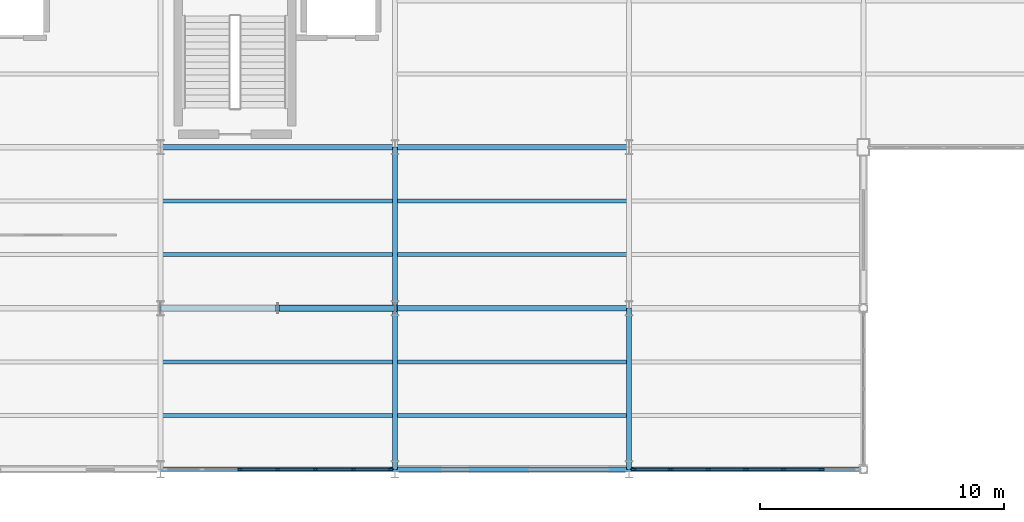
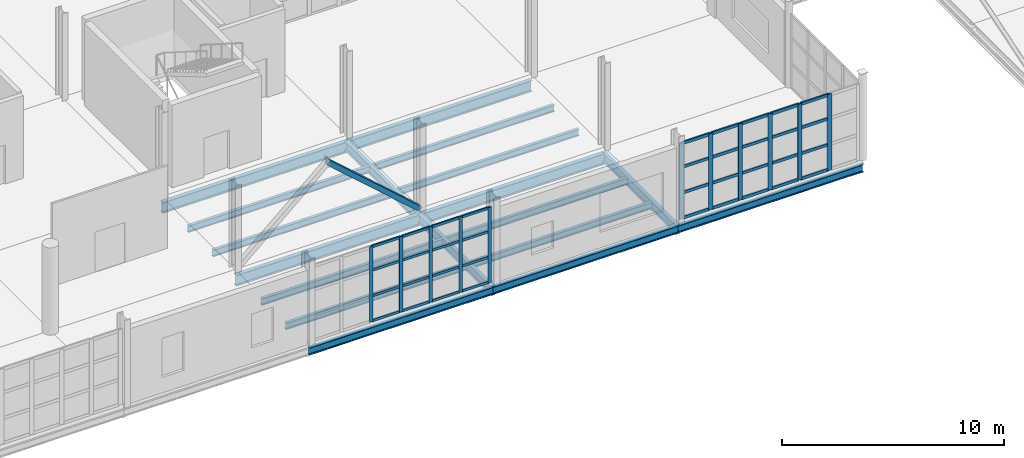
# One storey, part 18 of 120: 48 members, 18 beams, 2 elements without a shape of their own.
"""IFC4 building model written with IfcOpenShell, lengths in metres."""

from ifc_helpers import new_model, si_unit, direction, frame, origin, origin_2d, place, context, subcontext, project, spatial, rectangle, hollow_rectangle, i_section, extrude, material, layer, layer_set, material_profile, profile_set, type_object, element, aggregate, save


model = new_model("IFC4")

# Units and contexts
model_context = context("Model", 3, precision=1e-05, world=origin(), true_north=direction((0.0, 1.0)))
body_context = subcontext(model_context, "Body", "Model", "MODEL_VIEW")
ifc_project = project(units=[si_unit("LENGTHUNIT", "METRE"), si_unit("AREAUNIT", "SQUARE_METRE"), si_unit("VOLUMEUNIT", "CUBIC_METRE"), si_unit("PLANEANGLEUNIT", "RADIAN"), si_unit("MASSUNIT", "GRAM", prefix="KILO")], contexts=[model_context])

# Site, building, storey
site_placement = place(None, origin())
site = spatial("IfcSite", under=ifc_project, at=site_placement, CompositionType="ELEMENT")
building_placement = place(site_placement, origin())
building = spatial("IfcBuilding", under=site, at=building_placement, Name="Zarnetskaya Central Station", CompositionType="ELEMENT")
storey_placement = place(building_placement, frame((0.0, 0.0, 5.39990234375)))
storey = spatial("IfcBuildingStorey", under=building, at=storey_placement, Name="L01", CompositionType="ELEMENT", Elevation=5.39990234375)

# Beams
ifc_material_1 = material(Name="Steel S355", Category="steel")
ifc_material_profile_1 = material_profile(ifc_material_1, i_section(OverallWidth=0.169921875, OverallDepth=0.360107421875, WebThickness=0.008056640625, FlangeThickness=0.0126953125, FilletRadius=0.01806640625, at=origin_2d()), Name="IPE 360")
ifc_profile_set_1 = profile_set([ifc_material_profile_1], Name="Steel S355")
beam_type_1 = type_object("IfcBeamType", Name="BM-SEC-360", PredefinedType="BEAM", material=ifc_profile_set_1)
for number, where, z_axis, x_axis, name in (
    (1, (28.8798828125, 2.199951171875, -0.4599609375), (1.0, 0.0, 0.0), (0.0, 1.0, 0.0), "Secondary floor beam SEC-L01-Z512-DE-12-1"),
    (2, (28.8798828125, 4.39990234375, -0.4599609375), (1.0, 0.0, 0.0), (0.0, 1.0, 0.0), "Secondary floor beam SEC-L01-Z512-DE-12-2"),
    (3, (28.8798828125, 8.800048828125, -0.4599609375), (1.0, 0.0, 0.0), (0.0, 1.0, 0.0), "Secondary floor beam SEC-L01-Z512-DE-23-1"),
    (4, (28.8798828125, 11.0, -0.4599609375), (1.0, 0.0, 0.0), (0.0, 1.0, 0.0), "Secondary floor beam SEC-L01-Z512-DE-23-2"),
):
    element("IfcBeam", number, at=place(storey_placement, frame(where, z_axis=z_axis, x_axis=x_axis)), inside=storey, type_object=beam_type_1, Name=name, PredefinedType="BEAM", context=body_context, shape_type="SweptSolid", body=[
        extrude(i_section(OverallWidth=0.169921875, OverallDepth=0.360107421875, WebThickness=0.008056640625, FlangeThickness=0.0126953125, FilletRadius=0.01806640625, at=origin_2d()), origin(), (0.0, 0.0, 1.0), 9.440185546875),
    ])
for number, where, z_axis, x_axis, name in (
    (5, (38.47998046875, 2.199951171875, -0.4599609375), (1.0, 0.0, 0.0), (0.0, 1.0, 0.0), "Secondary floor beam SEC-L01-Z512-EF-12-1"),
    (6, (38.47998046875, 4.39990234375, -0.4599609375), (1.0, 0.0, 0.0), (0.0, 1.0, 0.0), "Secondary floor beam SEC-L01-Z512-EF-12-2"),
    (7, (38.47998046875, 8.800048828125, -0.4599609375), (1.0, 0.0, 0.0), (0.0, 1.0, 0.0), "Secondary floor beam SEC-L01-Z512-EF-23-1"),
    (8, (38.47998046875, 11.0, -0.4599609375), (1.0, 0.0, 0.0), (0.0, 1.0, 0.0), "Secondary floor beam SEC-L01-Z512-EF-23-2"),
):
    element("IfcBeam", number, at=place(storey_placement, frame(where, z_axis=z_axis, x_axis=x_axis)), inside=storey, type_object=beam_type_1, Name=name, PredefinedType="BEAM", context=body_context, shape_type="SweptSolid", body=[
        extrude(i_section(OverallWidth=0.169921875, OverallDepth=0.360107421875, WebThickness=0.008056640625, FlangeThickness=0.0126953125, FilletRadius=0.01806640625, at=origin_2d()), origin(), (0.0, 0.0, 1.0), 9.43994140625),
    ])
ifc_material_profile_2 = material_profile(ifc_material_1, i_section(OverallWidth=0.179931640625, OverallDepth=0.39990234375, WebThickness=0.008544921875, FlangeThickness=0.013427734375, FilletRadius=0.02099609375, at=origin_2d()), Name="IPE 400")
ifc_profile_set_2 = profile_set([ifc_material_profile_2], Name="Steel S355")
beam_type_2 = type_object("IfcBeamType", Name="BM-SPN-V5", PredefinedType="SPANDREL", material=ifc_profile_set_2)
beam_1_placement = place(storey_placement, frame((28.800048828125, 0.0, -0.47998046875), z_axis=(1.0, 0.0, 0.0), x_axis=(0.0, 1.0, 0.0)))
element("IfcBeam", 9, at=beam_1_placement, inside=storey, type_object=beam_type_2, Name="Grid girder GX-L01-1-DE", PredefinedType="SPANDREL", context=body_context, shape_type="SweptSolid", body=[
    extrude(i_section(OverallWidth=0.179931640625, OverallDepth=0.39990234375, WebThickness=0.008544921875, FlangeThickness=0.013427734375, FilletRadius=0.02099609375, at=origin_2d()), origin(), (0.0, 0.0, 1.0), 9.599853515625),
])
for number, where, z_axis, x_axis, name in (
    (10, (38.39990234375, 0.0, -0.47998046875), (1.0, 0.0, 0.0), (0.0, 1.0, 0.0), "Grid girder GX-L01-1-EF"),
    (11, (48.0, 0.0, -0.47998046875), (1.0, 0.0, 0.0), (0.0, 1.0, 0.0), "Grid girder GX-L01-1-FG"),
):
    element("IfcBeam", number, at=place(storey_placement, frame(where, z_axis=z_axis, x_axis=x_axis)), inside=storey, type_object=beam_type_2, Name=name, PredefinedType="SPANDREL", context=body_context, shape_type="SweptSolid", body=[
        extrude(i_section(OverallWidth=0.179931640625, OverallDepth=0.39990234375, WebThickness=0.008544921875, FlangeThickness=0.013427734375, FilletRadius=0.02099609375, at=origin_2d()), origin(), (0.0, 0.0, 1.0), 9.60009765625),
    ])

# Curtain wall, members
ifc_material_2 = material(Name="Low-E insulated glass", Category="glass")
ifc_layer_1 = layer(ifc_material_2, 0.176025390625, Name="Low-E insulated glass", Category="glass")
ifc_layer_set_1 = layer_set([ifc_layer_1], Name="Low-E insulated glass")
curtain_wall_type_1 = type_object("IfcCurtainWallType", Name="CW-SYS-05", PredefinedType="USERDEFINED", material=ifc_layer_set_1)
curtain_wall_1_placement = place(storey_placement, origin())
curtain_wall_1 = element("IfcCurtainWall", 12, at=curtain_wall_1_placement, inside=storey, type_object=curtain_wall_type_1, Name="Curtain wall CW-L01-013", ObjectType="CURTAIN WALL", PredefinedType="USERDEFINED")
ifc_material_3 = material(Name="Anodised aluminium", Category="aluminium")
ifc_material_profile_3 = material_profile(ifc_material_3, rectangle(XDim=0.070068359375, YDim=0.179931640625, at=origin_2d()), Name="ALU MULL 70x180")
ifc_profile_set_3 = profile_set([ifc_material_profile_3], Name="Anodised aluminium")
member_type_1 = type_object("IfcMemberType", Name="CW-MULL-180", PredefinedType="MULLION", material=ifc_profile_set_3)
member_1_placement = place(storey_placement, frame((38.215087890625, 0.0, 0.0), z_axis=(0.0, 0.0, 1.0), x_axis=(0.0, -1.0, 0.0)))
member_1 = element("IfcMember", 13, at=member_1_placement, type_object=member_type_1, Name="CW-14 mullion 1", PredefinedType="MULLION", context=body_context, shape_type="SweptSolid", body=[
    extrude(rectangle(XDim=0.070068359375, YDim=0.179931640625, at=origin_2d()), origin(), (0.0, 0.0, 1.0), 4.14013671875),
])
member_2_placement = place(storey_placement, frame((36.699951171875, 0.0, 0.0), z_axis=(0.0, 0.0, 1.0), x_axis=(0.0, -1.0, 0.0)))
member_2 = element("IfcMember", 14, at=member_2_placement, type_object=member_type_1, Name="CW-14 mullion 2", PredefinedType="MULLION", context=body_context, shape_type="SweptSolid", body=[
    extrude(rectangle(XDim=0.070068359375, YDim=0.179931640625, at=origin_2d()), origin(), (0.0, 0.0, 1.0), 4.14013671875),
])
member_3_placement = place(storey_placement, frame((35.14990234375, 0.0, 0.0), z_axis=(0.0, 0.0, 1.0), x_axis=(0.0, -1.0, 0.0)))
member_3 = element("IfcMember", 15, at=member_3_placement, type_object=member_type_1, Name="CW-14 mullion 3", PredefinedType="MULLION", context=body_context, shape_type="SweptSolid", body=[
    extrude(rectangle(XDim=0.070068359375, YDim=0.179931640625, at=origin_2d()), origin(), (0.0, 0.0, 1.0), 4.14013671875),
])
member_4_placement = place(storey_placement, frame((33.60009765625, 0.0, 0.0), z_axis=(0.0, 0.0, 1.0), x_axis=(0.0, -1.0, 0.0)))
member_4 = element("IfcMember", 16, at=member_4_placement, type_object=member_type_1, Name="CW-14 mullion 4", PredefinedType="MULLION", context=body_context, shape_type="SweptSolid", body=[
    extrude(rectangle(XDim=0.070068359375, YDim=0.179931640625, at=origin_2d()), origin(), (0.0, 0.0, 1.0), 4.14013671875),
])
member_5_placement = place(storey_placement, frame((32.050048828125, 0.0, 0.0), z_axis=(0.0, 0.0, 1.0), x_axis=(0.0, -1.0, 0.0)))
member_5 = element("IfcMember", 17, at=member_5_placement, type_object=member_type_1, Name="CW-14 mullion 5", PredefinedType="MULLION", context=body_context, shape_type="SweptSolid", body=[
    extrude(rectangle(XDim=0.070068359375, YDim=0.179931640625, at=origin_2d()), origin(), (0.0, 0.0, 1.0), 4.14013671875),
])

ifc_layer_2 = layer(ifc_material_2, 0.16796875, Name="Low-E insulated glass", Category="glass")
ifc_layer_set_2 = layer_set([ifc_layer_2], Name="Low-E insulated glass")
curtain_wall_type_2 = type_object("IfcCurtainWallType", Name="CW-SYS-03", PredefinedType="USERDEFINED", material=ifc_layer_set_2)
curtain_wall_2_placement = place(storey_placement, origin())
curtain_wall_2 = element("IfcCurtainWall", 18, at=curtain_wall_2_placement, inside=storey, type_object=curtain_wall_type_2, Name="Curtain wall CW-L01-012", ObjectType="CURTAIN WALL", PredefinedType="USERDEFINED")
ifc_material_profile_4 = material_profile(ifc_material_3, rectangle(XDim=0.080078125, YDim=0.219970703125, at=origin_2d()), Name="ALU MULL 80x220")
ifc_profile_set_4 = profile_set([ifc_material_profile_4], Name="Anodised aluminium")
member_type_2 = type_object("IfcMemberType", Name="CW-MULL-220", PredefinedType="MULLION", material=ifc_profile_set_4)
member_6_placement = place(storey_placement, frame((55.876953125, 0.0, 0.0), z_axis=(0.0, 0.0, 1.0), x_axis=(0.0, -1.0, 0.0)))
member_6 = element("IfcMember", 19, at=member_6_placement, type_object=member_type_2, Name="CW-12 mullion 2", PredefinedType="MULLION", context=body_context, shape_type="SweptSolid", body=[
    extrude(rectangle(XDim=0.080078125, YDim=0.219970703125, at=origin_2d()), origin(), (0.0, 0.0, 1.0), 4.18017578125),
])
member_7_placement = place(storey_placement, frame((54.33154296875, 0.0, 0.0), z_axis=(0.0, 0.0, 1.0), x_axis=(0.0, -1.0, 0.0)))
member_7 = element("IfcMember", 20, at=member_7_placement, type_object=member_type_2, Name="CW-12 mullion 3", PredefinedType="MULLION", context=body_context, shape_type="SweptSolid", body=[
    extrude(rectangle(XDim=0.080078125, YDim=0.219970703125, at=origin_2d()), origin(), (0.0, 0.0, 1.0), 4.18017578125),
])
member_8_placement = place(storey_placement, frame((52.7861328125, 0.0, 0.0), z_axis=(0.0, 0.0, 1.0), x_axis=(0.0, -1.0, 0.0)))
member_8 = element("IfcMember", 21, at=member_8_placement, type_object=member_type_2, Name="CW-12 mullion 4", PredefinedType="MULLION", context=body_context, shape_type="SweptSolid", body=[
    extrude(rectangle(XDim=0.080078125, YDim=0.219970703125, at=origin_2d()), origin(), (0.0, 0.0, 1.0), 4.18017578125),
])
member_9_placement = place(storey_placement, frame((51.24072265625, 0.0, 0.0), z_axis=(0.0, 0.0, 1.0), x_axis=(0.0, -1.0, 0.0)))
member_9 = element("IfcMember", 22, at=member_9_placement, type_object=member_type_2, Name="CW-12 mullion 5", PredefinedType="MULLION", context=body_context, shape_type="SweptSolid", body=[
    extrude(rectangle(XDim=0.080078125, YDim=0.219970703125, at=origin_2d()), origin(), (0.0, 0.0, 1.0), 4.18017578125),
])
member_10_placement = place(storey_placement, frame((49.6953125, 0.0, 0.0), z_axis=(0.0, 0.0, 1.0), x_axis=(0.0, -1.0, 0.0)))
member_10 = element("IfcMember", 23, at=member_10_placement, type_object=member_type_2, Name="CW-12 mullion 6", PredefinedType="MULLION", context=body_context, shape_type="SweptSolid", body=[
    extrude(rectangle(XDim=0.080078125, YDim=0.219970703125, at=origin_2d()), origin(), (0.0, 0.0, 1.0), 4.18017578125),
])
member_11_placement = place(storey_placement, frame((48.18994140625, 0.0, 0.0), z_axis=(0.0, 0.0, 1.0), x_axis=(0.0, -1.0, 0.0)))
member_11 = element("IfcMember", 24, at=member_11_placement, type_object=member_type_2, Name="CW-12 mullion 7", PredefinedType="MULLION", context=body_context, shape_type="SweptSolid", body=[
    extrude(rectangle(XDim=0.080078125, YDim=0.219970703125, at=origin_2d()), origin(), (0.0, 0.0, 1.0), 4.18017578125),
])

# Member
ifc_material_profile_5 = material_profile(ifc_material_3, rectangle(XDim=0.070068359375, YDim=0.139892578125, at=origin_2d()), Name="ALU TRAN 70x140")
ifc_profile_set_5 = profile_set([ifc_material_profile_5], Name="Anodised aluminium")
member_type_3 = type_object("IfcMemberType", Name="CW-TRAN-140", PredefinedType="USERDEFINED", material=ifc_profile_set_5)
member_12_placement = place(storey_placement, frame((38.179931640625, 0.0, 0.03515625), z_axis=(-1.0, 0.0, 0.0), x_axis=(0.0, -1.0, 0.0)))
member_12 = element("IfcMember", 25, at=member_12_placement, type_object=member_type_3, Name="CW-14 transom 1.1", ObjectType="TRANSOM", PredefinedType="USERDEFINED", context=body_context, shape_type="SweptSolid", body=[
    extrude(rectangle(XDim=0.070068359375, YDim=0.139892578125, at=origin_2d()), origin(), (0.0, 0.0, 1.0), 1.44482421875),
])

member_13_placement = place(storey_placement, frame((38.179931640625, 0.0, 1.408203125), z_axis=(-1.0, 0.0, 0.0), x_axis=(0.0, -1.0, 0.0)))
member_13 = element("IfcMember", 26, at=member_13_placement, type_object=member_type_3, Name="CW-14 transom 1.2", ObjectType="TRANSOM", PredefinedType="USERDEFINED", context=body_context, shape_type="SweptSolid", body=[
    extrude(rectangle(XDim=0.070068359375, YDim=0.139892578125, at=origin_2d()), origin(), (0.0, 0.0, 1.0), 1.44482421875),
])

member_14_placement = place(storey_placement, frame((38.179931640625, 0.0, 2.815185546875), z_axis=(-1.0, 0.0, 0.0), x_axis=(0.0, -1.0, 0.0)))
member_14 = element("IfcMember", 27, at=member_14_placement, type_object=member_type_3, Name="CW-14 transom 1.3", ObjectType="TRANSOM", PredefinedType="USERDEFINED", context=body_context, shape_type="SweptSolid", body=[
    extrude(rectangle(XDim=0.070068359375, YDim=0.139892578125, at=origin_2d()), origin(), (0.0, 0.0, 1.0), 1.44482421875),
])

member_15_placement = place(storey_placement, frame((38.179931640625, 0.0, 4.10498046875), z_axis=(-1.0, 0.0, 0.0), x_axis=(0.0, -1.0, 0.0)))
member_15 = element("IfcMember", 28, at=member_15_placement, type_object=member_type_3, Name="CW-14 transom 1.4", ObjectType="TRANSOM", PredefinedType="USERDEFINED", context=body_context, shape_type="SweptSolid", body=[
    extrude(rectangle(XDim=0.070068359375, YDim=0.139892578125, at=origin_2d()), origin(), (0.0, 0.0, 1.0), 1.44482421875),
])

member_16_placement = place(storey_placement, frame((36.6650390625, 0.0, 0.03515625), z_axis=(-1.0, 0.0, 0.0), x_axis=(0.0, -1.0, 0.0)))
member_16 = element("IfcMember", 29, at=member_16_placement, type_object=member_type_3, Name="CW-14 transom 2.1", ObjectType="TRANSOM", PredefinedType="USERDEFINED", context=body_context, shape_type="SweptSolid", body=[
    extrude(rectangle(XDim=0.070068359375, YDim=0.139892578125, at=origin_2d()), origin(), (0.0, 0.0, 1.0), 1.47998046875),
])

member_17_placement = place(storey_placement, frame((36.6650390625, 0.0, 1.408203125), z_axis=(-1.0, 0.0, 0.0), x_axis=(0.0, -1.0, 0.0)))
member_17 = element("IfcMember", 30, at=member_17_placement, type_object=member_type_3, Name="CW-14 transom 2.2", ObjectType="TRANSOM", PredefinedType="USERDEFINED", context=body_context, shape_type="SweptSolid", body=[
    extrude(rectangle(XDim=0.070068359375, YDim=0.139892578125, at=origin_2d()), origin(), (0.0, 0.0, 1.0), 1.47998046875),
])

member_18_placement = place(storey_placement, frame((36.6650390625, 0.0, 2.815185546875), z_axis=(-1.0, 0.0, 0.0), x_axis=(0.0, -1.0, 0.0)))
member_18 = element("IfcMember", 31, at=member_18_placement, type_object=member_type_3, Name="CW-14 transom 2.3", ObjectType="TRANSOM", PredefinedType="USERDEFINED", context=body_context, shape_type="SweptSolid", body=[
    extrude(rectangle(XDim=0.070068359375, YDim=0.139892578125, at=origin_2d()), origin(), (0.0, 0.0, 1.0), 1.47998046875),
])

member_19_placement = place(storey_placement, frame((36.6650390625, 0.0, 4.10498046875), z_axis=(-1.0, 0.0, 0.0), x_axis=(0.0, -1.0, 0.0)))
member_19 = element("IfcMember", 32, at=member_19_placement, type_object=member_type_3, Name="CW-14 transom 2.4", ObjectType="TRANSOM", PredefinedType="USERDEFINED", context=body_context, shape_type="SweptSolid", body=[
    extrude(rectangle(XDim=0.070068359375, YDim=0.139892578125, at=origin_2d()), origin(), (0.0, 0.0, 1.0), 1.47998046875),
])

member_20_placement = place(storey_placement, frame((35.114990234375, 0.0, 0.03515625), z_axis=(-1.0, 0.0, 0.0), x_axis=(0.0, -1.0, 0.0)))
member_20 = element("IfcMember", 33, at=member_20_placement, type_object=member_type_3, Name="CW-14 transom 3.1", ObjectType="TRANSOM", PredefinedType="USERDEFINED", context=body_context, shape_type="SweptSolid", body=[
    extrude(rectangle(XDim=0.070068359375, YDim=0.139892578125, at=origin_2d()), origin(), (0.0, 0.0, 1.0), 1.47998046875),
])

member_21_placement = place(storey_placement, frame((35.114990234375, 0.0, 1.408203125), z_axis=(-1.0, 0.0, 0.0), x_axis=(0.0, -1.0, 0.0)))
member_21 = element("IfcMember", 34, at=member_21_placement, type_object=member_type_3, Name="CW-14 transom 3.2", ObjectType="TRANSOM", PredefinedType="USERDEFINED", context=body_context, shape_type="SweptSolid", body=[
    extrude(rectangle(XDim=0.070068359375, YDim=0.139892578125, at=origin_2d()), origin(), (0.0, 0.0, 1.0), 1.47998046875),
])

member_22_placement = place(storey_placement, frame((35.114990234375, 0.0, 2.815185546875), z_axis=(-1.0, 0.0, 0.0), x_axis=(0.0, -1.0, 0.0)))
member_22 = element("IfcMember", 35, at=member_22_placement, type_object=member_type_3, Name="CW-14 transom 3.3", ObjectType="TRANSOM", PredefinedType="USERDEFINED", context=body_context, shape_type="SweptSolid", body=[
    extrude(rectangle(XDim=0.070068359375, YDim=0.139892578125, at=origin_2d()), origin(), (0.0, 0.0, 1.0), 1.47998046875),
])

member_23_placement = place(storey_placement, frame((35.114990234375, 0.0, 4.10498046875), z_axis=(-1.0, 0.0, 0.0), x_axis=(0.0, -1.0, 0.0)))
member_23 = element("IfcMember", 36, at=member_23_placement, type_object=member_type_3, Name="CW-14 transom 3.4", ObjectType="TRANSOM", PredefinedType="USERDEFINED", context=body_context, shape_type="SweptSolid", body=[
    extrude(rectangle(XDim=0.070068359375, YDim=0.139892578125, at=origin_2d()), origin(), (0.0, 0.0, 1.0), 1.47998046875),
])

member_24_placement = place(storey_placement, frame((33.56494140625, 0.0, 0.03515625), z_axis=(-1.0, 0.0, 0.0), x_axis=(0.0, -1.0, 0.0)))
member_24 = element("IfcMember", 37, at=member_24_placement, type_object=member_type_3, Name="CW-14 transom 4.1", ObjectType="TRANSOM", PredefinedType="USERDEFINED", context=body_context, shape_type="SweptSolid", body=[
    extrude(rectangle(XDim=0.070068359375, YDim=0.139892578125, at=origin_2d()), origin(), (0.0, 0.0, 1.0), 1.47998046875),
])

member_25_placement = place(storey_placement, frame((33.56494140625, 0.0, 1.408203125), z_axis=(-1.0, 0.0, 0.0), x_axis=(0.0, -1.0, 0.0)))
member_25 = element("IfcMember", 38, at=member_25_placement, type_object=member_type_3, Name="CW-14 transom 4.2", ObjectType="TRANSOM", PredefinedType="USERDEFINED", context=body_context, shape_type="SweptSolid", body=[
    extrude(rectangle(XDim=0.070068359375, YDim=0.139892578125, at=origin_2d()), origin(), (0.0, 0.0, 1.0), 1.47998046875),
])

member_26_placement = place(storey_placement, frame((33.56494140625, 0.0, 2.815185546875), z_axis=(-1.0, 0.0, 0.0), x_axis=(0.0, -1.0, 0.0)))
member_26 = element("IfcMember", 39, at=member_26_placement, type_object=member_type_3, Name="CW-14 transom 4.3", ObjectType="TRANSOM", PredefinedType="USERDEFINED", context=body_context, shape_type="SweptSolid", body=[
    extrude(rectangle(XDim=0.070068359375, YDim=0.139892578125, at=origin_2d()), origin(), (0.0, 0.0, 1.0), 1.47998046875),
])

member_27_placement = place(storey_placement, frame((33.56494140625, 0.0, 4.10498046875), z_axis=(-1.0, 0.0, 0.0), x_axis=(0.0, -1.0, 0.0)))
member_27 = element("IfcMember", 40, at=member_27_placement, type_object=member_type_3, Name="CW-14 transom 4.4", ObjectType="TRANSOM", PredefinedType="USERDEFINED", context=body_context, shape_type="SweptSolid", body=[
    extrude(rectangle(XDim=0.070068359375, YDim=0.139892578125, at=origin_2d()), origin(), (0.0, 0.0, 1.0), 1.47998046875),
])

aggregate(curtain_wall_1, [member_1, member_2, member_3, member_4, member_5, member_12, member_13, member_14, member_15, member_16, member_17, member_18, member_19, member_20, member_21, member_22, member_23, member_24, member_25, member_26, member_27])

ifc_material_profile_6 = material_profile(ifc_material_3, rectangle(XDim=0.080078125, YDim=0.159912109375, at=origin_2d()), Name="ALU TRAN 80x160")
ifc_profile_set_6 = profile_set([ifc_material_profile_6], Name="Anodised aluminium")
member_type_4 = type_object("IfcMemberType", Name="CW-TRAN-160", PredefinedType="USERDEFINED", material=ifc_profile_set_6)
member_28_placement = place(storey_placement, frame((55.8369140625, 0.0, 0.0400390625), z_axis=(-1.0, 0.0, 0.0), x_axis=(0.0, -1.0, 0.0)))
member_28 = element("IfcMember", 41, at=member_28_placement, type_object=member_type_4, Name="CW-12 transom 2.1", ObjectType="TRANSOM", PredefinedType="USERDEFINED", context=body_context, shape_type="SweptSolid", body=[
    extrude(rectangle(XDim=0.080078125, YDim=0.159912109375, at=origin_2d()), origin(), (0.0, 0.0, 1.0), 1.46533203125),
])

member_29_placement = place(storey_placement, frame((55.8369140625, 0.0, 1.421142578125), z_axis=(-1.0, 0.0, 0.0), x_axis=(0.0, -1.0, 0.0)))
member_29 = element("IfcMember", 42, at=member_29_placement, type_object=member_type_4, Name="CW-12 transom 2.2", ObjectType="TRANSOM", PredefinedType="USERDEFINED", context=body_context, shape_type="SweptSolid", body=[
    extrude(rectangle(XDim=0.080078125, YDim=0.159912109375, at=origin_2d()), origin(), (0.0, 0.0, 1.0), 1.46533203125),
])

member_30_placement = place(storey_placement, frame((55.8369140625, 0.0, 2.842041015625), z_axis=(-1.0, 0.0, 0.0), x_axis=(0.0, -1.0, 0.0)))
member_30 = element("IfcMember", 43, at=member_30_placement, type_object=member_type_4, Name="CW-12 transom 2.3", ObjectType="TRANSOM", PredefinedType="USERDEFINED", context=body_context, shape_type="SweptSolid", body=[
    extrude(rectangle(XDim=0.080078125, YDim=0.159912109375, at=origin_2d()), origin(), (0.0, 0.0, 1.0), 1.46533203125),
])

member_31_placement = place(storey_placement, frame((55.8369140625, 0.0, 4.14013671875), z_axis=(-1.0, 0.0, 0.0), x_axis=(0.0, -1.0, 0.0)))
member_31 = element("IfcMember", 44, at=member_31_placement, type_object=member_type_4, Name="CW-12 transom 2.4", ObjectType="TRANSOM", PredefinedType="USERDEFINED", context=body_context, shape_type="SweptSolid", body=[
    extrude(rectangle(XDim=0.080078125, YDim=0.159912109375, at=origin_2d()), origin(), (0.0, 0.0, 1.0), 1.46533203125),
])

member_32_placement = place(storey_placement, frame((54.29150390625, 0.0, 0.0400390625), z_axis=(-1.0, 0.0, 0.0), x_axis=(0.0, -1.0, 0.0)))
member_32 = element("IfcMember", 45, at=member_32_placement, type_object=member_type_4, Name="CW-12 transom 3.1", ObjectType="TRANSOM", PredefinedType="USERDEFINED", context=body_context, shape_type="SweptSolid", body=[
    extrude(rectangle(XDim=0.080078125, YDim=0.159912109375, at=origin_2d()), origin(), (0.0, 0.0, 1.0), 1.46533203125),
])

member_33_placement = place(storey_placement, frame((54.29150390625, 0.0, 1.421142578125), z_axis=(-1.0, 0.0, 0.0), x_axis=(0.0, -1.0, 0.0)))
member_33 = element("IfcMember", 46, at=member_33_placement, type_object=member_type_4, Name="CW-12 transom 3.2", ObjectType="TRANSOM", PredefinedType="USERDEFINED", context=body_context, shape_type="SweptSolid", body=[
    extrude(rectangle(XDim=0.080078125, YDim=0.159912109375, at=origin_2d()), origin(), (0.0, 0.0, 1.0), 1.46533203125),
])

member_34_placement = place(storey_placement, frame((54.29150390625, 0.0, 2.842041015625), z_axis=(-1.0, 0.0, 0.0), x_axis=(0.0, -1.0, 0.0)))
member_34 = element("IfcMember", 47, at=member_34_placement, type_object=member_type_4, Name="CW-12 transom 3.3", ObjectType="TRANSOM", PredefinedType="USERDEFINED", context=body_context, shape_type="SweptSolid", body=[
    extrude(rectangle(XDim=0.080078125, YDim=0.159912109375, at=origin_2d()), origin(), (0.0, 0.0, 1.0), 1.46533203125),
])

member_35_placement = place(storey_placement, frame((54.29150390625, 0.0, 4.14013671875), z_axis=(-1.0, 0.0, 0.0), x_axis=(0.0, -1.0, 0.0)))
member_35 = element("IfcMember", 48, at=member_35_placement, type_object=member_type_4, Name="CW-12 transom 3.4", ObjectType="TRANSOM", PredefinedType="USERDEFINED", context=body_context, shape_type="SweptSolid", body=[
    extrude(rectangle(XDim=0.080078125, YDim=0.159912109375, at=origin_2d()), origin(), (0.0, 0.0, 1.0), 1.46533203125),
])

member_36_placement = place(storey_placement, frame((52.74609375, 0.0, 0.0400390625), z_axis=(-1.0, 0.0, 0.0), x_axis=(0.0, -1.0, 0.0)))
member_36 = element("IfcMember", 49, at=member_36_placement, type_object=member_type_4, Name="CW-12 transom 4.1", ObjectType="TRANSOM", PredefinedType="USERDEFINED", context=body_context, shape_type="SweptSolid", body=[
    extrude(rectangle(XDim=0.080078125, YDim=0.159912109375, at=origin_2d()), origin(), (0.0, 0.0, 1.0), 1.46533203125),
])

member_37_placement = place(storey_placement, frame((52.74609375, 0.0, 1.421142578125), z_axis=(-1.0, 0.0, 0.0), x_axis=(0.0, -1.0, 0.0)))
member_37 = element("IfcMember", 50, at=member_37_placement, type_object=member_type_4, Name="CW-12 transom 4.2", ObjectType="TRANSOM", PredefinedType="USERDEFINED", context=body_context, shape_type="SweptSolid", body=[
    extrude(rectangle(XDim=0.080078125, YDim=0.159912109375, at=origin_2d()), origin(), (0.0, 0.0, 1.0), 1.46533203125),
])

member_38_placement = place(storey_placement, frame((52.74609375, 0.0, 2.842041015625), z_axis=(-1.0, 0.0, 0.0), x_axis=(0.0, -1.0, 0.0)))
member_38 = element("IfcMember", 51, at=member_38_placement, type_object=member_type_4, Name="CW-12 transom 4.3", ObjectType="TRANSOM", PredefinedType="USERDEFINED", context=body_context, shape_type="SweptSolid", body=[
    extrude(rectangle(XDim=0.080078125, YDim=0.159912109375, at=origin_2d()), origin(), (0.0, 0.0, 1.0), 1.46533203125),
])

member_39_placement = place(storey_placement, frame((52.74609375, 0.0, 4.14013671875), z_axis=(-1.0, 0.0, 0.0), x_axis=(0.0, -1.0, 0.0)))
member_39 = element("IfcMember", 52, at=member_39_placement, type_object=member_type_4, Name="CW-12 transom 4.4", ObjectType="TRANSOM", PredefinedType="USERDEFINED", context=body_context, shape_type="SweptSolid", body=[
    extrude(rectangle(XDim=0.080078125, YDim=0.159912109375, at=origin_2d()), origin(), (0.0, 0.0, 1.0), 1.46533203125),
])

member_40_placement = place(storey_placement, frame((51.20068359375, 0.0, 0.0400390625), z_axis=(-1.0, 0.0, 0.0), x_axis=(0.0, -1.0, 0.0)))
member_40 = element("IfcMember", 53, at=member_40_placement, type_object=member_type_4, Name="CW-12 transom 5.1", ObjectType="TRANSOM", PredefinedType="USERDEFINED", context=body_context, shape_type="SweptSolid", body=[
    extrude(rectangle(XDim=0.080078125, YDim=0.159912109375, at=origin_2d()), origin(), (0.0, 0.0, 1.0), 1.46533203125),
])

member_41_placement = place(storey_placement, frame((51.20068359375, 0.0, 1.421142578125), z_axis=(-1.0, 0.0, 0.0), x_axis=(0.0, -1.0, 0.0)))
member_41 = element("IfcMember", 54, at=member_41_placement, type_object=member_type_4, Name="CW-12 transom 5.2", ObjectType="TRANSOM", PredefinedType="USERDEFINED", context=body_context, shape_type="SweptSolid", body=[
    extrude(rectangle(XDim=0.080078125, YDim=0.159912109375, at=origin_2d()), origin(), (0.0, 0.0, 1.0), 1.46533203125),
])

member_42_placement = place(storey_placement, frame((51.20068359375, 0.0, 2.842041015625), z_axis=(-1.0, 0.0, 0.0), x_axis=(0.0, -1.0, 0.0)))
member_42 = element("IfcMember", 55, at=member_42_placement, type_object=member_type_4, Name="CW-12 transom 5.3", ObjectType="TRANSOM", PredefinedType="USERDEFINED", context=body_context, shape_type="SweptSolid", body=[
    extrude(rectangle(XDim=0.080078125, YDim=0.159912109375, at=origin_2d()), origin(), (0.0, 0.0, 1.0), 1.46533203125),
])

member_43_placement = place(storey_placement, frame((51.20068359375, 0.0, 4.14013671875), z_axis=(-1.0, 0.0, 0.0), x_axis=(0.0, -1.0, 0.0)))
member_43 = element("IfcMember", 56, at=member_43_placement, type_object=member_type_4, Name="CW-12 transom 5.4", ObjectType="TRANSOM", PredefinedType="USERDEFINED", context=body_context, shape_type="SweptSolid", body=[
    extrude(rectangle(XDim=0.080078125, YDim=0.159912109375, at=origin_2d()), origin(), (0.0, 0.0, 1.0), 1.46533203125),
])

member_44_placement = place(storey_placement, frame((49.6552734375, 0.0, 0.0400390625), z_axis=(-1.0, 0.0, 0.0), x_axis=(0.0, -1.0, 0.0)))
member_44 = element("IfcMember", 57, at=member_44_placement, type_object=member_type_4, Name="CW-12 transom 6.1", ObjectType="TRANSOM", PredefinedType="USERDEFINED", context=body_context, shape_type="SweptSolid", body=[
    extrude(rectangle(XDim=0.080078125, YDim=0.159912109375, at=origin_2d()), origin(), (0.0, 0.0, 1.0), 1.42529296875),
])

member_45_placement = place(storey_placement, frame((49.6552734375, 0.0, 1.421142578125), z_axis=(-1.0, 0.0, 0.0), x_axis=(0.0, -1.0, 0.0)))
member_45 = element("IfcMember", 58, at=member_45_placement, type_object=member_type_4, Name="CW-12 transom 6.2", ObjectType="TRANSOM", PredefinedType="USERDEFINED", context=body_context, shape_type="SweptSolid", body=[
    extrude(rectangle(XDim=0.080078125, YDim=0.159912109375, at=origin_2d()), origin(), (0.0, 0.0, 1.0), 1.42529296875),
])

member_46_placement = place(storey_placement, frame((49.6552734375, 0.0, 2.842041015625), z_axis=(-1.0, 0.0, 0.0), x_axis=(0.0, -1.0, 0.0)))
member_46 = element("IfcMember", 59, at=member_46_placement, type_object=member_type_4, Name="CW-12 transom 6.3", ObjectType="TRANSOM", PredefinedType="USERDEFINED", context=body_context, shape_type="SweptSolid", body=[
    extrude(rectangle(XDim=0.080078125, YDim=0.159912109375, at=origin_2d()), origin(), (0.0, 0.0, 1.0), 1.42529296875),
])

member_47_placement = place(storey_placement, frame((49.6552734375, 0.0, 4.14013671875), z_axis=(-1.0, 0.0, 0.0), x_axis=(0.0, -1.0, 0.0)))
member_47 = element("IfcMember", 60, at=member_47_placement, type_object=member_type_4, Name="CW-12 transom 6.4", ObjectType="TRANSOM", PredefinedType="USERDEFINED", context=body_context, shape_type="SweptSolid", body=[
    extrude(rectangle(XDim=0.080078125, YDim=0.159912109375, at=origin_2d()), origin(), (0.0, 0.0, 1.0), 1.42529296875),
])

aggregate(curtain_wall_2, [member_6, member_7, member_8, member_9, member_10, member_11, member_28, member_29, member_30, member_31, member_32, member_33, member_34, member_35, member_36, member_37, member_38, member_39, member_40, member_41, member_42, member_43, member_44, member_45, member_46, member_47])

# Beams
ifc_material_profile_7 = material_profile(ifc_material_1, i_section(OverallWidth=0.199951171875, OverallDepth=0.5, WebThickness=0.01025390625, FlangeThickness=0.01611328125, FilletRadius=0.02099609375, at=origin_2d()), Name="IPE 500")
ifc_profile_set_7 = profile_set([ifc_material_profile_7], Name="Steel S355")
beam_type_3 = type_object("IfcBeamType", Name="GD-FLR-500", PredefinedType="USERDEFINED", material=ifc_profile_set_7)
beam_2_placement = place(storey_placement, frame((38.39990234375, 0.0, -0.52978515625), z_axis=(0.0, 1.0, 0.0), x_axis=(-1.0, 0.0, 0.0)))
element("IfcBeam", 61, at=beam_2_placement, inside=storey, type_object=beam_type_3, Name="Grid girder GY-L01-E-12", ObjectType="GIRDER", PredefinedType="USERDEFINED", context=body_context, shape_type="SweptSolid", body=[
    extrude(i_section(OverallWidth=0.199951171875, OverallDepth=0.5, WebThickness=0.01025390625, FlangeThickness=0.01611328125, FilletRadius=0.02099609375, at=origin_2d()), origin(), (0.0, 0.0, 1.0), 6.60009765625),
])
beam_3_placement = place(storey_placement, frame((38.39990234375, 6.60009765625, -0.52978515625), z_axis=(0.0, 1.0, 0.0), x_axis=(-1.0, 0.0, 0.0)))
element("IfcBeam", 62, at=beam_3_placement, inside=storey, type_object=beam_type_3, Name="Grid girder GY-L01-E-23", ObjectType="GIRDER", PredefinedType="USERDEFINED", context=body_context, shape_type="SweptSolid", body=[
    extrude(i_section(OverallWidth=0.199951171875, OverallDepth=0.5, WebThickness=0.01025390625, FlangeThickness=0.01611328125, FilletRadius=0.02099609375, at=origin_2d()), origin(), (0.0, 0.0, 1.0), 6.599853515625),
])
beam_4_placement = place(storey_placement, frame((48.0, 0.0, -0.52978515625), z_axis=(0.0, 1.0, 0.0), x_axis=(-1.0, 0.0, 0.0)))
element("IfcBeam", 63, at=beam_4_placement, inside=storey, type_object=beam_type_3, Name="Grid girder GY-L01-F-12", ObjectType="GIRDER", PredefinedType="USERDEFINED", context=body_context, shape_type="SweptSolid", body=[
    extrude(i_section(OverallWidth=0.199951171875, OverallDepth=0.5, WebThickness=0.01025390625, FlangeThickness=0.01611328125, FilletRadius=0.02099609375, at=origin_2d()), origin(), (0.0, 0.0, 1.0), 6.60009765625),
])
ifc_material_profile_8 = material_profile(ifc_material_1, i_section(OverallWidth=0.219970703125, OverallDepth=0.60009765625, WebThickness=0.011962890625, FlangeThickness=0.01904296875, FilletRadius=0.02392578125, at=origin_2d()), Name="IPE 600")
ifc_profile_set_8 = profile_set([ifc_material_profile_8], Name="Steel S355")
beam_type_4 = type_object("IfcBeamType", Name="GD-FLR-600", PredefinedType="USERDEFINED", material=ifc_profile_set_8)
for number, where, z_axis, x_axis, name in (
    (64, (28.800048828125, 6.60009765625, -0.579833984375), (1.0, 0.0, 0.0), (0.0, 1.0, 0.0), "Grid girder GX-L01-2-DE"),
    (65, (28.800048828125, 13.199951171875, -0.579833984375), (1.0, 0.0, 0.0), (0.0, 1.0, 0.0), "Grid girder GX-L01-3-DE"),
):
    element("IfcBeam", number, at=place(storey_placement, frame(where, z_axis=z_axis, x_axis=x_axis)), inside=storey, type_object=beam_type_4, Name=name, ObjectType="GIRDER", PredefinedType="USERDEFINED", context=body_context, shape_type="SweptSolid", body=[
        extrude(i_section(OverallWidth=0.219970703125, OverallDepth=0.60009765625, WebThickness=0.011962890625, FlangeThickness=0.01904296875, FilletRadius=0.02392578125, at=origin_2d()), origin(), (0.0, 0.0, 1.0), 9.599853515625),
    ])
for number, where, z_axis, x_axis, name in (
    (66, (38.39990234375, 6.60009765625, -0.579833984375), (1.0, 0.0, 0.0), (0.0, 1.0, 0.0), "Grid girder GX-L01-2-EF"),
    (67, (38.39990234375, 13.199951171875, -0.579833984375), (1.0, 0.0, 0.0), (0.0, 1.0, 0.0), "Grid girder GX-L01-3-EF"),
):
    element("IfcBeam", number, at=place(storey_placement, frame(where, z_axis=z_axis, x_axis=x_axis)), inside=storey, type_object=beam_type_4, Name=name, ObjectType="GIRDER", PredefinedType="USERDEFINED", context=body_context, shape_type="SweptSolid", body=[
        extrude(i_section(OverallWidth=0.219970703125, OverallDepth=0.60009765625, WebThickness=0.011962890625, FlangeThickness=0.01904296875, FilletRadius=0.02392578125, at=origin_2d()), origin(), (0.0, 0.0, 1.0), 9.60009765625),
    ])

# Member
ifc_material_profile_9 = material_profile(ifc_material_1, hollow_rectangle(XDim=0.25, YDim=0.25, WallThickness=0.012451171875, at=origin_2d()), Name="SHS 250x250x12.5")
ifc_profile_set_9 = profile_set([ifc_material_profile_9], Name="Steel S355")
member_type_5 = type_object("IfcMemberType", Name="MB-CBF-BRACE", PredefinedType="BRACE", material=ifc_profile_set_9)
member_48_placement = place(storey_placement, frame((38.39990234375, 6.60009765625, 0.0), z_axis=(-0.749460601768, 0.0, 0.662048945621), x_axis=(0.0, -1.0, 0.0)))
element("IfcMember", 68, at=member_48_placement, inside=storey, type_object=member_type_5, Name="Concentrically braced frame chevron 2R L01", PredefinedType="BRACE", context=body_context, shape_type="SweptSolid", body=[
    extrude(hollow_rectangle(XDim=0.25, YDim=0.25, WallThickness=0.012451171875, at=origin_2d()), origin(), (0.0, 0.0, 1.0), 6.404296875),
])

save(model, "model.ifc")
